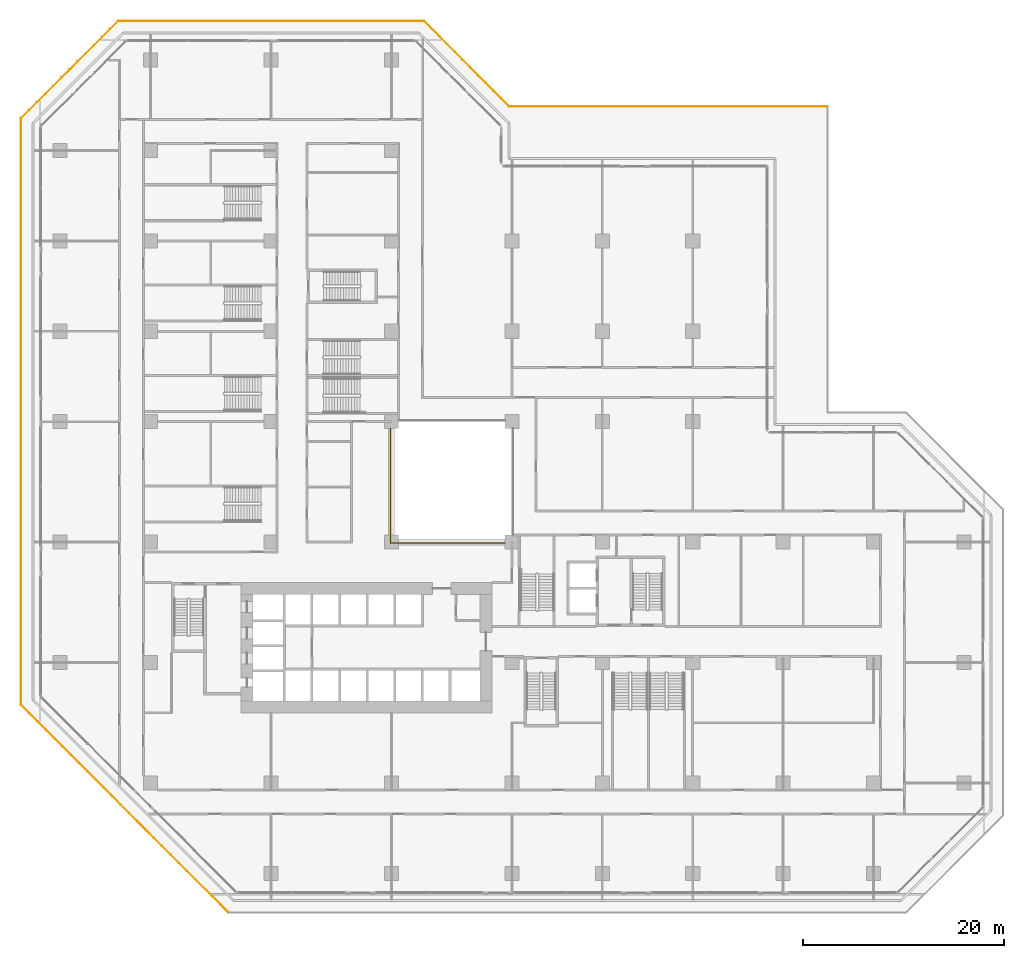
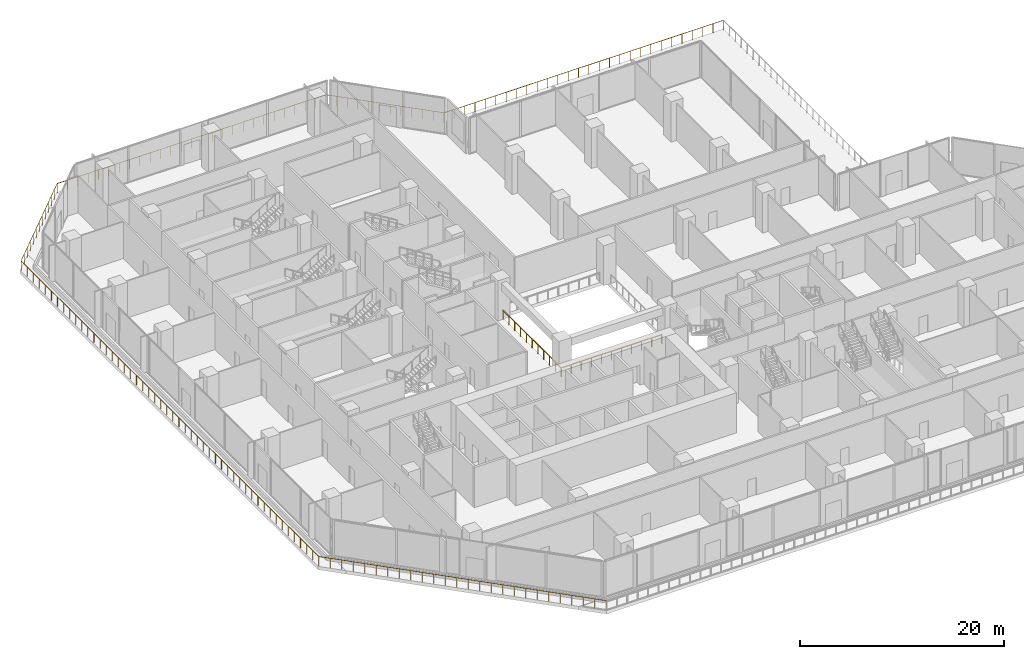
# One storey, part 27 of 31: 2 railings.
"""IFC4 building model written with IfcOpenShell, lengths in metres."""

from ifc_helpers import new_model, si_unit, direction, frame, origin, origin_2d, place, context, subcontext, project, spatial, rectangle, extrude, material, type_object, element, save


model = new_model("IFC4")

# Units and contexts
model_context = context("Model", 3, precision=1e-05, world=origin(), true_north=direction((0.0, 1.0)))
body_context = subcontext(model_context, "Body", "Model", "MODEL_VIEW")
ifc_project = project(units=[si_unit("LENGTHUNIT", "METRE"), si_unit("AREAUNIT", "SQUARE_METRE"), si_unit("VOLUMEUNIT", "CUBIC_METRE"), si_unit("PLANEANGLEUNIT", "RADIAN"), si_unit("MASSUNIT", "GRAM", prefix="KILO")], contexts=[model_context])

# Site, building, storey
site_placement = place(None, origin())
site = spatial("IfcSite", under=ifc_project, at=site_placement, CompositionType="ELEMENT")
building_placement = place(site_placement, origin())
building = spatial("IfcBuilding", under=site, at=building_placement, Name="Chenar Terraces", CompositionType="ELEMENT")
storey_placement = place(building_placement, frame((0.0, 0.0, 12.0)))
storey = spatial("IfcBuildingStorey", under=building, at=storey_placement, Name="L02", CompositionType="ELEMENT", Elevation=12.0)

# Railings
ifc_material_1 = material(Name="Powder-coated steel", Category="steel")
railing_type_1 = type_object("IfcRailingType", Name="Guard 1100 steel rail with glass infill", PredefinedType="GUARDRAIL", material=ifc_material_1)
railing_1_placement = place(storey_placement, frame((23.89990234375, 35.300048828125, 0.0)))
element("IfcRailing", 1, at=railing_1_placement, inside=storey, type_object=railing_type_1, Name="Guard L02-1", PredefinedType="GUARDRAIL", context=body_context, shape_type="SweptSolid", body=[
    extrude(rectangle(XDim=0.06005859375, YDim=0.06005859375, at=origin_2d()), frame((0.0, 0.0, 1.070068359375), z_axis=(0.0, -1.0, 0.0), x_axis=(1.0, 0.0, 0.0)), (0.0, 0.0, 1.0), 11.400146484375),
    extrude(rectangle(XDim=0.06005859375, YDim=0.06005859375, at=origin_2d()), frame((0.0, -11.400146484375, 1.070068359375), z_axis=(1.0, 0.0, 0.0), x_axis=(0.0, 1.0, 0.0)), (0.0, 0.0, 1.0), 11.400146484375),
    extrude(rectangle(XDim=0.050048828125, YDim=0.050048828125, at=origin_2d()), origin(), (0.0, 0.0, 1.0), 1.0400390625),
    extrude(rectangle(XDim=0.050048828125, YDim=0.050048828125, at=origin_2d()), frame((0.0, -1.14013671875, 0.0)), (0.0, 0.0, 1.0), 1.0400390625),
    extrude(rectangle(XDim=0.050048828125, YDim=0.050048828125, at=origin_2d()), frame((0.0, -2.280029296875, 0.0)), (0.0, 0.0, 1.0), 1.0400390625),
    extrude(rectangle(XDim=0.050048828125, YDim=0.050048828125, at=origin_2d()), frame((0.0, -3.419921875, 0.0)), (0.0, 0.0, 1.0), 1.0400390625),
    extrude(rectangle(XDim=0.050048828125, YDim=0.050048828125, at=origin_2d()), frame((0.0, -4.56005859375, 0.0)), (0.0, 0.0, 1.0), 1.0400390625),
    extrude(rectangle(XDim=0.050048828125, YDim=0.050048828125, at=origin_2d()), frame((0.0, -5.7001953125, 0.0)), (0.0, 0.0, 1.0), 1.0400390625),
    extrude(rectangle(XDim=0.050048828125, YDim=0.050048828125, at=origin_2d()), frame((0.0, -6.840087890625, 0.0)), (0.0, 0.0, 1.0), 1.0400390625),
    extrude(rectangle(XDim=0.050048828125, YDim=0.050048828125, at=origin_2d()), frame((0.0, -7.97998046875, 0.0)), (0.0, 0.0, 1.0), 1.0400390625),
    extrude(rectangle(XDim=0.050048828125, YDim=0.050048828125, at=origin_2d()), frame((0.0, -9.1201171875, 0.0)), (0.0, 0.0, 1.0), 1.0400390625),
    extrude(rectangle(XDim=0.050048828125, YDim=0.050048828125, at=origin_2d()), frame((0.0, -10.26025390625, 0.0)), (0.0, 0.0, 1.0), 1.0400390625),
    extrude(rectangle(XDim=0.050048828125, YDim=0.050048828125, at=origin_2d()), frame((0.0, -11.400146484375, 0.0)), (0.0, 0.0, 1.0), 1.0400390625),
    extrude(rectangle(XDim=0.050048828125, YDim=0.050048828125, at=origin_2d()), frame((1.14013671875, -11.400146484375, 0.0)), (0.0, 0.0, 1.0), 1.0400390625),
    extrude(rectangle(XDim=0.050048828125, YDim=0.050048828125, at=origin_2d()), frame((2.280029296875, -11.400146484375, 0.0)), (0.0, 0.0, 1.0), 1.0400390625),
    extrude(rectangle(XDim=0.050048828125, YDim=0.050048828125, at=origin_2d()), frame((3.419921875, -11.400146484375, 0.0)), (0.0, 0.0, 1.0), 1.0400390625),
    extrude(rectangle(XDim=0.050048828125, YDim=0.050048828125, at=origin_2d()), frame((4.56005859375, -11.400146484375, 0.0)), (0.0, 0.0, 1.0), 1.0400390625),
    extrude(rectangle(XDim=0.050048828125, YDim=0.050048828125, at=origin_2d()), frame((5.7001953125, -11.400146484375, 0.0)), (0.0, 0.0, 1.0), 1.0400390625),
    extrude(rectangle(XDim=0.050048828125, YDim=0.050048828125, at=origin_2d()), frame((6.840087890625, -11.400146484375, 0.0)), (0.0, 0.0, 1.0), 1.0400390625),
    extrude(rectangle(XDim=0.050048828125, YDim=0.050048828125, at=origin_2d()), frame((7.97998046875, -11.400146484375, 0.0)), (0.0, 0.0, 1.0), 1.0400390625),
    extrude(rectangle(XDim=0.050048828125, YDim=0.050048828125, at=origin_2d()), frame((9.1201171875, -11.400146484375, 0.0)), (0.0, 0.0, 1.0), 1.0400390625),
    extrude(rectangle(XDim=0.050048828125, YDim=0.050048828125, at=origin_2d()), frame((10.26025390625, -11.400146484375, 0.0)), (0.0, 0.0, 1.0), 1.0400390625),
    extrude(rectangle(XDim=0.050048828125, YDim=0.050048828125, at=origin_2d()), frame((11.400146484375, -11.400146484375, 0.0)), (0.0, 0.0, 1.0), 1.0400390625),
])
ifc_material_2 = material(Name="Stainless steel and glass", Category="steel")
railing_type_2 = type_object("IfcRailingType", Name="Terrace guard 1150", PredefinedType="GUARDRAIL", material=ifc_material_2)
railing_2_placement = place(storey_placement, frame((7.778076171875, -12.89990234375, 0.0)))
element("IfcRailing", 2, at=railing_2_placement, inside=storey, type_object=railing_type_2, Name="Terrace guard", PredefinedType="GUARDRAIL", context=body_context, shape_type="SweptSolid", body=[
    extrude(rectangle(XDim=0.048095703125, YDim=0.048095703125, at=origin_2d()), frame((0.0, 0.0, 1.1259765625), z_axis=(-0.707106781187, 0.707106781187, 0.0), x_axis=(-0.707106781187, -0.707106781187, 0.0)), (0.0, 0.0, 1.0), 29.2431640625),
    extrude(rectangle(XDim=0.048095703125, YDim=0.048095703125, at=origin_2d()), frame((-20.677978515625, 20.677978515625, 1.1259765625), z_axis=(0.0, 1.0, 0.0), x_axis=(-1.0, 0.0, 0.0)), (0.0, 0.0, 1.0), 58.44384765625),
    extrude(rectangle(XDim=0.048095703125, YDim=0.048095703125, at=origin_2d()), frame((-20.677978515625, 79.121826171875, 1.1259765625), z_axis=(0.707106781187, 0.707106781187, 0.0), x_axis=(-0.707106781187, 0.707106781187, 0.0)), (0.0, 0.0, 1.0), 13.686767578125),
    extrude(rectangle(XDim=0.048095703125, YDim=0.048095703125, at=origin_2d()), frame((-11.0, 88.7998046875, 1.1259765625), z_axis=(1.0, 0.0, 0.0), x_axis=(0.0, 1.0, 0.0)), (0.0, 0.0, 1.0), 30.44384765625),
    extrude(rectangle(XDim=0.048095703125, YDim=0.048095703125, at=origin_2d()), frame((19.44384765625, 88.7998046875, 1.1259765625), z_axis=(0.707106781187, -0.707106781187, 0.0), x_axis=(0.707106781187, 0.707106781187, 0.0)), (0.0, 0.0, 1.0), 12.020751953125),
    extrude(rectangle(XDim=0.048095703125, YDim=0.048095703125, at=origin_2d()), frame((27.94384765625, 80.2998046875, 1.1259765625), z_axis=(1.0, 0.0, 0.0), x_axis=(0.0, 1.0, 0.0)), (0.0, 0.0, 1.0), 31.677978515625),
    extrude(rectangle(XDim=0.0419921875, YDim=0.0419921875, at=origin_2d()), origin(), (0.0, 0.0, 1.0), 1.101806640625),
    extrude(rectangle(XDim=0.0419921875, YDim=0.0419921875, at=origin_2d()), frame((-0.8271484375, 0.8271484375, 0.0)), (0.0, 0.0, 1.0), 1.101806640625),
    extrude(rectangle(XDim=0.0419921875, YDim=0.0419921875, at=origin_2d()), frame((-1.654296875, 1.654296875, 0.0)), (0.0, 0.0, 1.0), 1.101806640625),
    extrude(rectangle(XDim=0.0419921875, YDim=0.0419921875, at=origin_2d()), frame((-2.4814453125, 2.4814453125, 0.0)), (0.0, 0.0, 1.0), 1.101806640625),
    extrude(rectangle(XDim=0.0419921875, YDim=0.0419921875, at=origin_2d()), frame((-3.30859375, 3.30859375, 0.0)), (0.0, 0.0, 1.0), 1.101806640625),
    extrude(rectangle(XDim=0.0419921875, YDim=0.0419921875, at=origin_2d()), frame((-4.135498046875, 4.135498046875, 0.0)), (0.0, 0.0, 1.0), 1.101806640625),
    extrude(rectangle(XDim=0.0419921875, YDim=0.0419921875, at=origin_2d()), frame((-4.962646484375, 4.962646484375, 0.0)), (0.0, 0.0, 1.0), 1.101806640625),
    extrude(rectangle(XDim=0.0419921875, YDim=0.0419921875, at=origin_2d()), frame((-5.789794921875, 5.789794921875, 0.0)), (0.0, 0.0, 1.0), 1.101806640625),
    extrude(rectangle(XDim=0.0419921875, YDim=0.0419921875, at=origin_2d()), frame((-6.616943359375, 6.616943359375, 0.0)), (0.0, 0.0, 1.0), 1.101806640625),
    extrude(rectangle(XDim=0.0419921875, YDim=0.0419921875, at=origin_2d()), frame((-7.444091796875, 7.444091796875, 0.0)), (0.0, 0.0, 1.0), 1.101806640625),
    extrude(rectangle(XDim=0.0419921875, YDim=0.0419921875, at=origin_2d()), frame((-8.271240234375, 8.271240234375, 0.0)), (0.0, 0.0, 1.0), 1.101806640625),
    extrude(rectangle(XDim=0.0419921875, YDim=0.0419921875, at=origin_2d()), frame((-9.098388671875, 9.098388671875, 0.0)), (0.0, 0.0, 1.0), 1.101806640625),
    extrude(rectangle(XDim=0.0419921875, YDim=0.0419921875, at=origin_2d()), frame((-9.925537109375, 9.925537109375, 0.0)), (0.0, 0.0, 1.0), 1.101806640625),
    extrude(rectangle(XDim=0.0419921875, YDim=0.0419921875, at=origin_2d()), frame((-10.75244140625, 10.75244140625, 0.0)), (0.0, 0.0, 1.0), 1.101806640625),
    extrude(rectangle(XDim=0.0419921875, YDim=0.0419921875, at=origin_2d()), frame((-11.57958984375, 11.57958984375, 0.0)), (0.0, 0.0, 1.0), 1.101806640625),
    extrude(rectangle(XDim=0.0419921875, YDim=0.0419921875, at=origin_2d()), frame((-12.40673828125, 12.40673828125, 0.0)), (0.0, 0.0, 1.0), 1.101806640625),
    extrude(rectangle(XDim=0.0419921875, YDim=0.0419921875, at=origin_2d()), frame((-13.23388671875, 13.23388671875, 0.0)), (0.0, 0.0, 1.0), 1.101806640625),
    extrude(rectangle(XDim=0.0419921875, YDim=0.0419921875, at=origin_2d()), frame((-14.06103515625, 14.06103515625, 0.0)), (0.0, 0.0, 1.0), 1.101806640625),
    extrude(rectangle(XDim=0.0419921875, YDim=0.0419921875, at=origin_2d()), frame((-14.88818359375, 14.88818359375, 0.0)), (0.0, 0.0, 1.0), 1.101806640625),
    extrude(rectangle(XDim=0.0419921875, YDim=0.0419921875, at=origin_2d()), frame((-15.71533203125, 15.71533203125, 0.0)), (0.0, 0.0, 1.0), 1.101806640625),
    extrude(rectangle(XDim=0.0419921875, YDim=0.0419921875, at=origin_2d()), frame((-16.54248046875, 16.54248046875, 0.0)), (0.0, 0.0, 1.0), 1.101806640625),
    extrude(rectangle(XDim=0.0419921875, YDim=0.0419921875, at=origin_2d()), frame((-17.369384765625, 17.369384765625, 0.0)), (0.0, 0.0, 1.0), 1.101806640625),
    extrude(rectangle(XDim=0.0419921875, YDim=0.0419921875, at=origin_2d()), frame((-18.196533203125, 18.196533203125, 0.0)), (0.0, 0.0, 1.0), 1.101806640625),
    extrude(rectangle(XDim=0.0419921875, YDim=0.0419921875, at=origin_2d()), frame((-19.023681640625, 19.023681640625, 0.0)), (0.0, 0.0, 1.0), 1.101806640625),
    extrude(rectangle(XDim=0.0419921875, YDim=0.0419921875, at=origin_2d()), frame((-19.850830078125, 19.850830078125, 0.0)), (0.0, 0.0, 1.0), 1.101806640625),
    extrude(rectangle(XDim=0.0419921875, YDim=0.0419921875, at=origin_2d()), frame((-20.677978515625, 20.677978515625, 0.0)), (0.0, 0.0, 1.0), 1.101806640625),
    extrude(rectangle(XDim=0.0419921875, YDim=0.0419921875, at=origin_2d()), frame((-20.677978515625, 21.87060546875, 0.0)), (0.0, 0.0, 1.0), 1.101806640625),
    extrude(rectangle(XDim=0.0419921875, YDim=0.0419921875, at=origin_2d()), frame((-20.677978515625, 23.0634765625, 0.0)), (0.0, 0.0, 1.0), 1.101806640625),
    extrude(rectangle(XDim=0.0419921875, YDim=0.0419921875, at=origin_2d()), frame((-20.677978515625, 24.256103515625, 0.0)), (0.0, 0.0, 1.0), 1.101806640625),
    extrude(rectangle(XDim=0.0419921875, YDim=0.0419921875, at=origin_2d()), frame((-20.677978515625, 25.448974609375, 0.0)), (0.0, 0.0, 1.0), 1.101806640625),
    extrude(rectangle(XDim=0.0419921875, YDim=0.0419921875, at=origin_2d()), frame((-20.677978515625, 26.6416015625, 0.0)), (0.0, 0.0, 1.0), 1.101806640625),
    extrude(rectangle(XDim=0.0419921875, YDim=0.0419921875, at=origin_2d()), frame((-20.677978515625, 27.83447265625, 0.0)), (0.0, 0.0, 1.0), 1.101806640625),
    extrude(rectangle(XDim=0.0419921875, YDim=0.0419921875, at=origin_2d()), frame((-20.677978515625, 29.027099609375, 0.0)), (0.0, 0.0, 1.0), 1.101806640625),
    extrude(rectangle(XDim=0.0419921875, YDim=0.0419921875, at=origin_2d()), frame((-20.677978515625, 30.2197265625, 0.0)), (0.0, 0.0, 1.0), 1.101806640625),
    extrude(rectangle(XDim=0.0419921875, YDim=0.0419921875, at=origin_2d()), frame((-20.677978515625, 31.41259765625, 0.0)), (0.0, 0.0, 1.0), 1.101806640625),
    extrude(rectangle(XDim=0.0419921875, YDim=0.0419921875, at=origin_2d()), frame((-20.677978515625, 32.605224609375, 0.0)), (0.0, 0.0, 1.0), 1.101806640625),
    extrude(rectangle(XDim=0.0419921875, YDim=0.0419921875, at=origin_2d()), frame((-20.677978515625, 33.798095703125, 0.0)), (0.0, 0.0, 1.0), 1.101806640625),
    extrude(rectangle(XDim=0.0419921875, YDim=0.0419921875, at=origin_2d()), frame((-20.677978515625, 34.99072265625, 0.0)), (0.0, 0.0, 1.0), 1.101806640625),
    extrude(rectangle(XDim=0.0419921875, YDim=0.0419921875, at=origin_2d()), frame((-20.677978515625, 36.18359375, 0.0)), (0.0, 0.0, 1.0), 1.101806640625),
    extrude(rectangle(XDim=0.0419921875, YDim=0.0419921875, at=origin_2d()), frame((-20.677978515625, 37.376220703125, 0.0)), (0.0, 0.0, 1.0), 1.101806640625),
    extrude(rectangle(XDim=0.0419921875, YDim=0.0419921875, at=origin_2d()), frame((-20.677978515625, 38.56884765625, 0.0)), (0.0, 0.0, 1.0), 1.101806640625),
    extrude(rectangle(XDim=0.0419921875, YDim=0.0419921875, at=origin_2d()), frame((-20.677978515625, 39.76171875, 0.0)), (0.0, 0.0, 1.0), 1.101806640625),
    extrude(rectangle(XDim=0.0419921875, YDim=0.0419921875, at=origin_2d()), frame((-20.677978515625, 40.954345703125, 0.0)), (0.0, 0.0, 1.0), 1.101806640625),
    extrude(rectangle(XDim=0.0419921875, YDim=0.0419921875, at=origin_2d()), frame((-20.677978515625, 42.147216796875, 0.0)), (0.0, 0.0, 1.0), 1.101806640625),
    extrude(rectangle(XDim=0.0419921875, YDim=0.0419921875, at=origin_2d()), frame((-20.677978515625, 43.33984375, 0.0)), (0.0, 0.0, 1.0), 1.101806640625),
    extrude(rectangle(XDim=0.0419921875, YDim=0.0419921875, at=origin_2d()), frame((-20.677978515625, 44.53271484375, 0.0)), (0.0, 0.0, 1.0), 1.101806640625),
    extrude(rectangle(XDim=0.0419921875, YDim=0.0419921875, at=origin_2d()), frame((-20.677978515625, 45.725341796875, 0.0)), (0.0, 0.0, 1.0), 1.101806640625),
    extrude(rectangle(XDim=0.0419921875, YDim=0.0419921875, at=origin_2d()), frame((-20.677978515625, 46.91796875, 0.0)), (0.0, 0.0, 1.0), 1.101806640625),
    extrude(rectangle(XDim=0.0419921875, YDim=0.0419921875, at=origin_2d()), frame((-20.677978515625, 48.11083984375, 0.0)), (0.0, 0.0, 1.0), 1.101806640625),
    extrude(rectangle(XDim=0.0419921875, YDim=0.0419921875, at=origin_2d()), frame((-20.677978515625, 49.303466796875, 0.0)), (0.0, 0.0, 1.0), 1.101806640625),
    extrude(rectangle(XDim=0.0419921875, YDim=0.0419921875, at=origin_2d()), frame((-20.677978515625, 50.496337890625, 0.0)), (0.0, 0.0, 1.0), 1.101806640625),
    extrude(rectangle(XDim=0.0419921875, YDim=0.0419921875, at=origin_2d()), frame((-20.677978515625, 51.68896484375, 0.0)), (0.0, 0.0, 1.0), 1.101806640625),
    extrude(rectangle(XDim=0.0419921875, YDim=0.0419921875, at=origin_2d()), frame((-20.677978515625, 52.8818359375, 0.0)), (0.0, 0.0, 1.0), 1.101806640625),
    extrude(rectangle(XDim=0.0419921875, YDim=0.0419921875, at=origin_2d()), frame((-20.677978515625, 54.074462890625, 0.0)), (0.0, 0.0, 1.0), 1.101806640625),
    extrude(rectangle(XDim=0.0419921875, YDim=0.0419921875, at=origin_2d()), frame((-20.677978515625, 55.26708984375, 0.0)), (0.0, 0.0, 1.0), 1.101806640625),
    extrude(rectangle(XDim=0.0419921875, YDim=0.0419921875, at=origin_2d()), frame((-20.677978515625, 56.4599609375, 0.0)), (0.0, 0.0, 1.0), 1.101806640625),
    extrude(rectangle(XDim=0.0419921875, YDim=0.0419921875, at=origin_2d()), frame((-20.677978515625, 57.652587890625, 0.0)), (0.0, 0.0, 1.0), 1.101806640625),
    extrude(rectangle(XDim=0.0419921875, YDim=0.0419921875, at=origin_2d()), frame((-20.677978515625, 58.845458984375, 0.0)), (0.0, 0.0, 1.0), 1.101806640625),
    extrude(rectangle(XDim=0.0419921875, YDim=0.0419921875, at=origin_2d()), frame((-20.677978515625, 60.0380859375, 0.0)), (0.0, 0.0, 1.0), 1.101806640625),
    extrude(rectangle(XDim=0.0419921875, YDim=0.0419921875, at=origin_2d()), frame((-20.677978515625, 61.23095703125, 0.0)), (0.0, 0.0, 1.0), 1.101806640625),
    extrude(rectangle(XDim=0.0419921875, YDim=0.0419921875, at=origin_2d()), frame((-20.677978515625, 62.423583984375, 0.0)), (0.0, 0.0, 1.0), 1.101806640625),
    extrude(rectangle(XDim=0.0419921875, YDim=0.0419921875, at=origin_2d()), frame((-20.677978515625, 63.6162109375, 0.0)), (0.0, 0.0, 1.0), 1.101806640625),
    extrude(rectangle(XDim=0.0419921875, YDim=0.0419921875, at=origin_2d()), frame((-20.677978515625, 64.80908203125, 0.0)), (0.0, 0.0, 1.0), 1.101806640625),
    extrude(rectangle(XDim=0.0419921875, YDim=0.0419921875, at=origin_2d()), frame((-20.677978515625, 66.001708984375, 0.0)), (0.0, 0.0, 1.0), 1.101806640625),
    extrude(rectangle(XDim=0.0419921875, YDim=0.0419921875, at=origin_2d()), frame((-20.677978515625, 67.194580078125, 0.0)), (0.0, 0.0, 1.0), 1.101806640625),
    extrude(rectangle(XDim=0.0419921875, YDim=0.0419921875, at=origin_2d()), frame((-20.677978515625, 68.38720703125, 0.0)), (0.0, 0.0, 1.0), 1.101806640625),
    extrude(rectangle(XDim=0.0419921875, YDim=0.0419921875, at=origin_2d()), frame((-20.677978515625, 69.580078125, 0.0)), (0.0, 0.0, 1.0), 1.101806640625),
    extrude(rectangle(XDim=0.0419921875, YDim=0.0419921875, at=origin_2d()), frame((-20.677978515625, 70.772705078125, 0.0)), (0.0, 0.0, 1.0), 1.101806640625),
    extrude(rectangle(XDim=0.0419921875, YDim=0.0419921875, at=origin_2d()), frame((-20.677978515625, 71.96533203125, 0.0)), (0.0, 0.0, 1.0), 1.101806640625),
    extrude(rectangle(XDim=0.0419921875, YDim=0.0419921875, at=origin_2d()), frame((-20.677978515625, 73.158203125, 0.0)), (0.0, 0.0, 1.0), 1.101806640625),
    extrude(rectangle(XDim=0.0419921875, YDim=0.0419921875, at=origin_2d()), frame((-20.677978515625, 74.350830078125, 0.0)), (0.0, 0.0, 1.0), 1.101806640625),
    extrude(rectangle(XDim=0.0419921875, YDim=0.0419921875, at=origin_2d()), frame((-20.677978515625, 75.543701171875, 0.0)), (0.0, 0.0, 1.0), 1.101806640625),
    extrude(rectangle(XDim=0.0419921875, YDim=0.0419921875, at=origin_2d()), frame((-20.677978515625, 76.736328125, 0.0)), (0.0, 0.0, 1.0), 1.101806640625),
    extrude(rectangle(XDim=0.0419921875, YDim=0.0419921875, at=origin_2d()), frame((-20.677978515625, 77.92919921875, 0.0)), (0.0, 0.0, 1.0), 1.101806640625),
    extrude(rectangle(XDim=0.0419921875, YDim=0.0419921875, at=origin_2d()), frame((-20.677978515625, 79.121826171875, 0.0)), (0.0, 0.0, 1.0), 1.101806640625),
    extrude(rectangle(XDim=0.0419921875, YDim=0.0419921875, at=origin_2d()), frame((-19.87158203125, 79.92822265625, 0.0)), (0.0, 0.0, 1.0), 1.101806640625),
    extrude(rectangle(XDim=0.0419921875, YDim=0.0419921875, at=origin_2d()), frame((-19.06494140625, 80.73486328125, 0.0)), (0.0, 0.0, 1.0), 1.101806640625),
    extrude(rectangle(XDim=0.0419921875, YDim=0.0419921875, at=origin_2d()), frame((-18.258544921875, 81.541259765625, 0.0)), (0.0, 0.0, 1.0), 1.101806640625),
    extrude(rectangle(XDim=0.0419921875, YDim=0.0419921875, at=origin_2d()), frame((-17.451904296875, 82.347900390625, 0.0)), (0.0, 0.0, 1.0), 1.101806640625),
    extrude(rectangle(XDim=0.0419921875, YDim=0.0419921875, at=origin_2d()), frame((-16.6455078125, 83.154296875, 0.0)), (0.0, 0.0, 1.0), 1.101806640625),
    extrude(rectangle(XDim=0.0419921875, YDim=0.0419921875, at=origin_2d()), frame((-15.8388671875, 83.9609375, 0.0)), (0.0, 0.0, 1.0), 1.101806640625),
    extrude(rectangle(XDim=0.0419921875, YDim=0.0419921875, at=origin_2d()), frame((-15.032470703125, 84.767333984375, 0.0)), (0.0, 0.0, 1.0), 1.101806640625),
    extrude(rectangle(XDim=0.0419921875, YDim=0.0419921875, at=origin_2d()), frame((-14.22607421875, 85.57373046875, 0.0)), (0.0, 0.0, 1.0), 1.101806640625),
    extrude(rectangle(XDim=0.0419921875, YDim=0.0419921875, at=origin_2d()), frame((-13.41943359375, 86.38037109375, 0.0)), (0.0, 0.0, 1.0), 1.101806640625),
    extrude(rectangle(XDim=0.0419921875, YDim=0.0419921875, at=origin_2d()), frame((-12.613037109375, 87.186767578125, 0.0)), (0.0, 0.0, 1.0), 1.101806640625),
    extrude(rectangle(XDim=0.0419921875, YDim=0.0419921875, at=origin_2d()), frame((-11.806396484375, 87.993408203125, 0.0)), (0.0, 0.0, 1.0), 1.101806640625),
    extrude(rectangle(XDim=0.0419921875, YDim=0.0419921875, at=origin_2d()), frame((-11.0, 88.7998046875, 0.0)), (0.0, 0.0, 1.0), 1.101806640625),
    extrude(rectangle(XDim=0.0419921875, YDim=0.0419921875, at=origin_2d()), frame((-9.8291015625, 88.7998046875, 0.0)), (0.0, 0.0, 1.0), 1.101806640625),
    extrude(rectangle(XDim=0.0419921875, YDim=0.0419921875, at=origin_2d()), frame((-8.658203125, 88.7998046875, 0.0)), (0.0, 0.0, 1.0), 1.101806640625),
    extrude(rectangle(XDim=0.0419921875, YDim=0.0419921875, at=origin_2d()), frame((-7.4873046875, 88.7998046875, 0.0)), (0.0, 0.0, 1.0), 1.101806640625),
    extrude(rectangle(XDim=0.0419921875, YDim=0.0419921875, at=origin_2d()), frame((-6.31640625, 88.7998046875, 0.0)), (0.0, 0.0, 1.0), 1.101806640625),
    extrude(rectangle(XDim=0.0419921875, YDim=0.0419921875, at=origin_2d()), frame((-5.1455078125, 88.7998046875, 0.0)), (0.0, 0.0, 1.0), 1.101806640625),
    extrude(rectangle(XDim=0.0419921875, YDim=0.0419921875, at=origin_2d()), frame((-3.974609375, 88.7998046875, 0.0)), (0.0, 0.0, 1.0), 1.101806640625),
    extrude(rectangle(XDim=0.0419921875, YDim=0.0419921875, at=origin_2d()), frame((-2.803466796875, 88.7998046875, 0.0)), (0.0, 0.0, 1.0), 1.101806640625),
    extrude(rectangle(XDim=0.0419921875, YDim=0.0419921875, at=origin_2d()), frame((-1.632568359375, 88.7998046875, 0.0)), (0.0, 0.0, 1.0), 1.101806640625),
    extrude(rectangle(XDim=0.0419921875, YDim=0.0419921875, at=origin_2d()), frame((-0.461669921875, 88.7998046875, 0.0)), (0.0, 0.0, 1.0), 1.101806640625),
    extrude(rectangle(XDim=0.0419921875, YDim=0.0419921875, at=origin_2d()), frame((0.709228515625, 88.7998046875, 0.0)), (0.0, 0.0, 1.0), 1.101806640625),
    extrude(rectangle(XDim=0.0419921875, YDim=0.0419921875, at=origin_2d()), frame((1.880126953125, 88.7998046875, 0.0)), (0.0, 0.0, 1.0), 1.101806640625),
    extrude(rectangle(XDim=0.0419921875, YDim=0.0419921875, at=origin_2d()), frame((3.051025390625, 88.7998046875, 0.0)), (0.0, 0.0, 1.0), 1.101806640625),
    extrude(rectangle(XDim=0.0419921875, YDim=0.0419921875, at=origin_2d()), frame((4.221923828125, 88.7998046875, 0.0)), (0.0, 0.0, 1.0), 1.101806640625),
    extrude(rectangle(XDim=0.0419921875, YDim=0.0419921875, at=origin_2d()), frame((5.392822265625, 88.7998046875, 0.0)), (0.0, 0.0, 1.0), 1.101806640625),
    extrude(rectangle(XDim=0.0419921875, YDim=0.0419921875, at=origin_2d()), frame((6.563720703125, 88.7998046875, 0.0)), (0.0, 0.0, 1.0), 1.101806640625),
    extrude(rectangle(XDim=0.0419921875, YDim=0.0419921875, at=origin_2d()), frame((7.734619140625, 88.7998046875, 0.0)), (0.0, 0.0, 1.0), 1.101806640625),
    extrude(rectangle(XDim=0.0419921875, YDim=0.0419921875, at=origin_2d()), frame((8.905517578125, 88.7998046875, 0.0)), (0.0, 0.0, 1.0), 1.101806640625),
    extrude(rectangle(XDim=0.0419921875, YDim=0.0419921875, at=origin_2d()), frame((10.076416015625, 88.7998046875, 0.0)), (0.0, 0.0, 1.0), 1.101806640625),
    extrude(rectangle(XDim=0.0419921875, YDim=0.0419921875, at=origin_2d()), frame((11.247314453125, 88.7998046875, 0.0)), (0.0, 0.0, 1.0), 1.101806640625),
    extrude(rectangle(XDim=0.0419921875, YDim=0.0419921875, at=origin_2d()), frame((12.41845703125, 88.7998046875, 0.0)), (0.0, 0.0, 1.0), 1.101806640625),
    extrude(rectangle(XDim=0.0419921875, YDim=0.0419921875, at=origin_2d()), frame((13.58935546875, 88.7998046875, 0.0)), (0.0, 0.0, 1.0), 1.101806640625),
    extrude(rectangle(XDim=0.0419921875, YDim=0.0419921875, at=origin_2d()), frame((14.76025390625, 88.7998046875, 0.0)), (0.0, 0.0, 1.0), 1.101806640625),
    extrude(rectangle(XDim=0.0419921875, YDim=0.0419921875, at=origin_2d()), frame((15.93115234375, 88.7998046875, 0.0)), (0.0, 0.0, 1.0), 1.101806640625),
    extrude(rectangle(XDim=0.0419921875, YDim=0.0419921875, at=origin_2d()), frame((17.10205078125, 88.7998046875, 0.0)), (0.0, 0.0, 1.0), 1.101806640625),
    extrude(rectangle(XDim=0.0419921875, YDim=0.0419921875, at=origin_2d()), frame((18.27294921875, 88.7998046875, 0.0)), (0.0, 0.0, 1.0), 1.101806640625),
    extrude(rectangle(XDim=0.0419921875, YDim=0.0419921875, at=origin_2d()), frame((19.44384765625, 88.7998046875, 0.0)), (0.0, 0.0, 1.0), 1.101806640625),
    extrude(rectangle(XDim=0.0419921875, YDim=0.0419921875, at=origin_2d()), frame((20.216552734375, 88.027099609375, 0.0)), (0.0, 0.0, 1.0), 1.101806640625),
    extrude(rectangle(XDim=0.0419921875, YDim=0.0419921875, at=origin_2d()), frame((20.9892578125, 87.25439453125, 0.0)), (0.0, 0.0, 1.0), 1.101806640625),
    extrude(rectangle(XDim=0.0419921875, YDim=0.0419921875, at=origin_2d()), frame((21.761962890625, 86.481689453125, 0.0)), (0.0, 0.0, 1.0), 1.101806640625),
    extrude(rectangle(XDim=0.0419921875, YDim=0.0419921875, at=origin_2d()), frame((22.53466796875, 85.708984375, 0.0)), (0.0, 0.0, 1.0), 1.101806640625),
    extrude(rectangle(XDim=0.0419921875, YDim=0.0419921875, at=origin_2d()), frame((23.307373046875, 84.936279296875, 0.0)), (0.0, 0.0, 1.0), 1.101806640625),
    extrude(rectangle(XDim=0.0419921875, YDim=0.0419921875, at=origin_2d()), frame((24.080322265625, 84.163330078125, 0.0)), (0.0, 0.0, 1.0), 1.101806640625),
    extrude(rectangle(XDim=0.0419921875, YDim=0.0419921875, at=origin_2d()), frame((24.85302734375, 83.390625, 0.0)), (0.0, 0.0, 1.0), 1.101806640625),
    extrude(rectangle(XDim=0.0419921875, YDim=0.0419921875, at=origin_2d()), frame((25.625732421875, 82.617919921875, 0.0)), (0.0, 0.0, 1.0), 1.101806640625),
    extrude(rectangle(XDim=0.0419921875, YDim=0.0419921875, at=origin_2d()), frame((26.3984375, 81.84521484375, 0.0)), (0.0, 0.0, 1.0), 1.101806640625),
    extrude(rectangle(XDim=0.0419921875, YDim=0.0419921875, at=origin_2d()), frame((27.171142578125, 81.072509765625, 0.0)), (0.0, 0.0, 1.0), 1.101806640625),
    extrude(rectangle(XDim=0.0419921875, YDim=0.0419921875, at=origin_2d()), frame((27.94384765625, 80.2998046875, 0.0)), (0.0, 0.0, 1.0), 1.101806640625),
    extrude(rectangle(XDim=0.0419921875, YDim=0.0419921875, at=origin_2d()), frame((29.1171875, 80.2998046875, 0.0)), (0.0, 0.0, 1.0), 1.101806640625),
    extrude(rectangle(XDim=0.0419921875, YDim=0.0419921875, at=origin_2d()), frame((30.290283203125, 80.2998046875, 0.0)), (0.0, 0.0, 1.0), 1.101806640625),
    extrude(rectangle(XDim=0.0419921875, YDim=0.0419921875, at=origin_2d()), frame((31.463623046875, 80.2998046875, 0.0)), (0.0, 0.0, 1.0), 1.101806640625),
    extrude(rectangle(XDim=0.0419921875, YDim=0.0419921875, at=origin_2d()), frame((32.636962890625, 80.2998046875, 0.0)), (0.0, 0.0, 1.0), 1.101806640625),
    extrude(rectangle(XDim=0.0419921875, YDim=0.0419921875, at=origin_2d()), frame((33.81005859375, 80.2998046875, 0.0)), (0.0, 0.0, 1.0), 1.101806640625),
    extrude(rectangle(XDim=0.0419921875, YDim=0.0419921875, at=origin_2d()), frame((34.9833984375, 80.2998046875, 0.0)), (0.0, 0.0, 1.0), 1.101806640625),
    extrude(rectangle(XDim=0.0419921875, YDim=0.0419921875, at=origin_2d()), frame((36.15673828125, 80.2998046875, 0.0)), (0.0, 0.0, 1.0), 1.101806640625),
    extrude(rectangle(XDim=0.0419921875, YDim=0.0419921875, at=origin_2d()), frame((37.329833984375, 80.2998046875, 0.0)), (0.0, 0.0, 1.0), 1.101806640625),
    extrude(rectangle(XDim=0.0419921875, YDim=0.0419921875, at=origin_2d()), frame((38.503173828125, 80.2998046875, 0.0)), (0.0, 0.0, 1.0), 1.101806640625),
    extrude(rectangle(XDim=0.0419921875, YDim=0.0419921875, at=origin_2d()), frame((39.676513671875, 80.2998046875, 0.0)), (0.0, 0.0, 1.0), 1.101806640625),
    extrude(rectangle(XDim=0.0419921875, YDim=0.0419921875, at=origin_2d()), frame((40.849609375, 80.2998046875, 0.0)), (0.0, 0.0, 1.0), 1.101806640625),
    extrude(rectangle(XDim=0.0419921875, YDim=0.0419921875, at=origin_2d()), frame((42.02294921875, 80.2998046875, 0.0)), (0.0, 0.0, 1.0), 1.101806640625),
    extrude(rectangle(XDim=0.0419921875, YDim=0.0419921875, at=origin_2d()), frame((43.1962890625, 80.2998046875, 0.0)), (0.0, 0.0, 1.0), 1.101806640625),
    extrude(rectangle(XDim=0.0419921875, YDim=0.0419921875, at=origin_2d()), frame((44.369384765625, 80.2998046875, 0.0)), (0.0, 0.0, 1.0), 1.101806640625),
    extrude(rectangle(XDim=0.0419921875, YDim=0.0419921875, at=origin_2d()), frame((45.542724609375, 80.2998046875, 0.0)), (0.0, 0.0, 1.0), 1.101806640625),
    extrude(rectangle(XDim=0.0419921875, YDim=0.0419921875, at=origin_2d()), frame((46.716064453125, 80.2998046875, 0.0)), (0.0, 0.0, 1.0), 1.101806640625),
    extrude(rectangle(XDim=0.0419921875, YDim=0.0419921875, at=origin_2d()), frame((47.88916015625, 80.2998046875, 0.0)), (0.0, 0.0, 1.0), 1.101806640625),
    extrude(rectangle(XDim=0.0419921875, YDim=0.0419921875, at=origin_2d()), frame((49.0625, 80.2998046875, 0.0)), (0.0, 0.0, 1.0), 1.101806640625),
    extrude(rectangle(XDim=0.0419921875, YDim=0.0419921875, at=origin_2d()), frame((50.23583984375, 80.2998046875, 0.0)), (0.0, 0.0, 1.0), 1.101806640625),
    extrude(rectangle(XDim=0.0419921875, YDim=0.0419921875, at=origin_2d()), frame((51.408935546875, 80.2998046875, 0.0)), (0.0, 0.0, 1.0), 1.101806640625),
    extrude(rectangle(XDim=0.0419921875, YDim=0.0419921875, at=origin_2d()), frame((52.582275390625, 80.2998046875, 0.0)), (0.0, 0.0, 1.0), 1.101806640625),
    extrude(rectangle(XDim=0.0419921875, YDim=0.0419921875, at=origin_2d()), frame((53.755615234375, 80.2998046875, 0.0)), (0.0, 0.0, 1.0), 1.101806640625),
    extrude(rectangle(XDim=0.0419921875, YDim=0.0419921875, at=origin_2d()), frame((54.9287109375, 80.2998046875, 0.0)), (0.0, 0.0, 1.0), 1.101806640625),
    extrude(rectangle(XDim=0.0419921875, YDim=0.0419921875, at=origin_2d()), frame((56.10205078125, 80.2998046875, 0.0)), (0.0, 0.0, 1.0), 1.101806640625),
    extrude(rectangle(XDim=0.0419921875, YDim=0.0419921875, at=origin_2d()), frame((57.275390625, 80.2998046875, 0.0)), (0.0, 0.0, 1.0), 1.101806640625),
    extrude(rectangle(XDim=0.0419921875, YDim=0.0419921875, at=origin_2d()), frame((58.448486328125, 80.2998046875, 0.0)), (0.0, 0.0, 1.0), 1.101806640625),
    extrude(rectangle(XDim=0.0419921875, YDim=0.0419921875, at=origin_2d()), frame((59.621826171875, 80.2998046875, 0.0)), (0.0, 0.0, 1.0), 1.101806640625),
])

save(model, "model.ifc")
